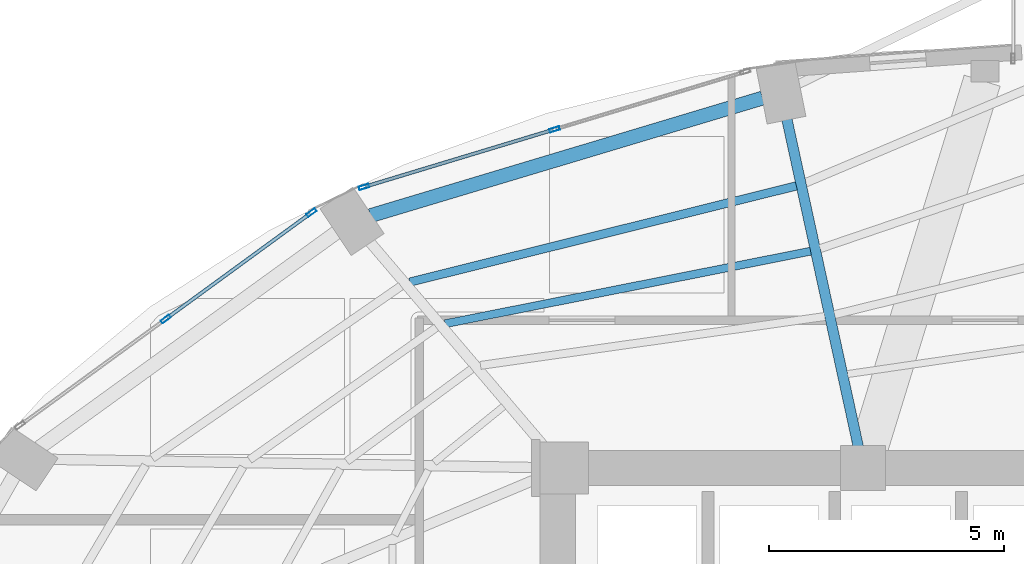
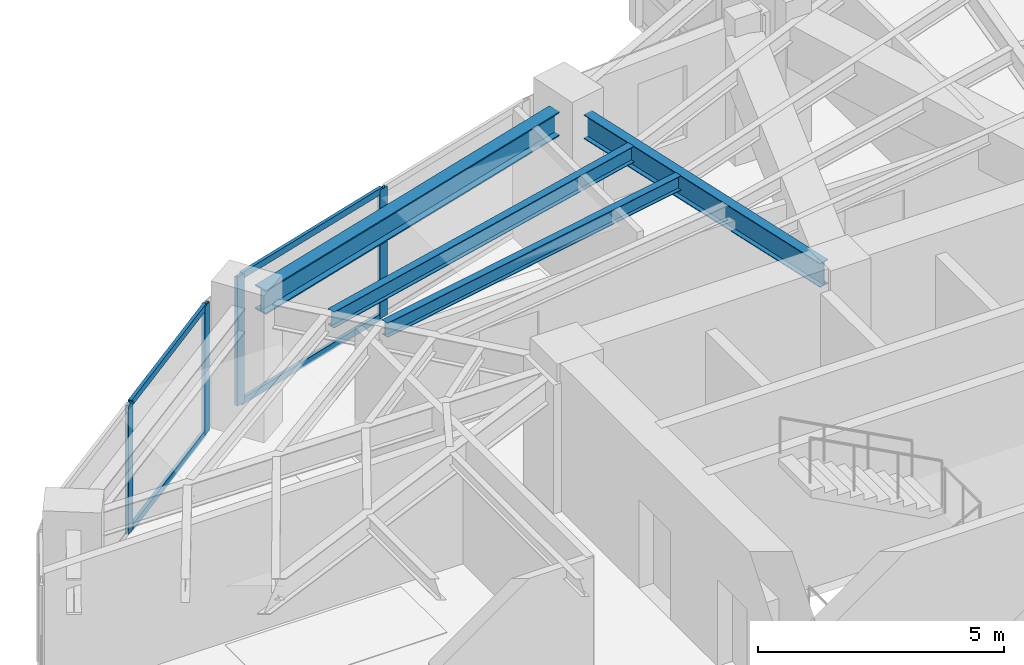
# One storey, part 14 of 24: 8 members, 4 beams, 2 elements without a shape of their own.
"""IFC4 building model written with IfcOpenShell, lengths in metres."""

from ifc_helpers import new_model, si_unit, direction, frame, origin, origin_2d, place, context, subcontext, project, spatial, hollow_rectangle, i_section, extrude, material, layer, layer_set, material_profile, profile_set, type_object, element, aggregate, save


model = new_model("IFC4")

# Units and contexts
model_context = context("Model", 3, precision=1e-05, world=origin(), true_north=direction((0.0, 1.0)))
body_context = subcontext(model_context, "Body", "Model", "MODEL_VIEW")
ifc_project = project(units=[si_unit("LENGTHUNIT", "METRE"), si_unit("AREAUNIT", "SQUARE_METRE"), si_unit("VOLUMEUNIT", "CUBIC_METRE"), si_unit("PLANEANGLEUNIT", "RADIAN"), si_unit("MASSUNIT", "GRAM", prefix="KILO")], contexts=[model_context])

# Site, building, storey
site_placement = place(None, origin())
site = spatial("IfcSite", under=ifc_project, at=site_placement, CompositionType="ELEMENT")
building_placement = place(site_placement, origin())
building = spatial("IfcBuilding", under=site, at=building_placement, Name="Lazwardi Medical Tower", CompositionType="ELEMENT")
storey_placement = place(building_placement, frame((0.0, 0.0, 129.16796875)))
storey = spatial("IfcBuildingStorey", under=building, at=storey_placement, Name="L33", CompositionType="ELEMENT", Elevation=129.16796875)

# Beams
ifc_material_1 = material(Name="Steel S355", Category="steel")
ifc_material_profile_1 = material_profile(ifc_material_1, i_section(OverallWidth=0.300048828125, OverallDepth=0.60009765625, WebThickness=0.015380859375, FlangeThickness=0.030029296875, at=origin_2d()), Name="HEB 600")
ifc_profile_set_1 = profile_set([ifc_material_profile_1], Name="Steel S355")
beam_type_1 = type_object("IfcBeamType", Name="BM-RB-Z2", PredefinedType="BEAM", material=ifc_profile_set_1)
beam_1_placement = place(storey_placement, frame((30.661865234375, 43.4794921875, 2.89794921875), z_axis=(-0.957879438442, -0.287170648587, 0.0), x_axis=(0.287170648587, -0.957879438442, 0.0)))
element("IfcBeam", 1, at=beam_1_placement, inside=storey, type_object=beam_type_1, Name="Ring beam RB-03 B09 L33", PredefinedType="BEAM", context=body_context, shape_type="SweptSolid", body=[
    extrude(i_section(OverallWidth=0.300048828125, OverallDepth=0.60009765625, WebThickness=0.015380859375, FlangeThickness=0.030029296875, at=origin_2d()), origin(), (0.0, 0.0, 1.0), 8.719970703125),
])
ifc_material_profile_2 = material_profile(ifc_material_1, i_section(OverallWidth=0.219970703125, OverallDepth=0.60009765625, WebThickness=0.011962890625, FlangeThickness=0.01904296875, at=origin_2d()), Name="IPE 600")
ifc_profile_set_2 = profile_set([ifc_material_profile_2], Name="Steel S355")
beam_type_2 = type_object("IfcBeamType", Name="BM-RG-W1", PredefinedType="BEAM", material=ifc_profile_set_2)
beam_2_placement = place(storey_placement, frame((31.17822265625, 43.03076171875, 2.89794921875), z_axis=(0.213228150441, -0.977002433907, 0.0), x_axis=(0.977002433907, 0.213228150441, 0.0)))
element("IfcBeam", 2, at=beam_2_placement, inside=storey, type_object=beam_type_2, Name="Radial girder RG-02 R09 L33", PredefinedType="BEAM", context=body_context, shape_type="SweptSolid", body=[
    extrude(i_section(OverallWidth=0.219970703125, OverallDepth=0.60009765625, WebThickness=0.011962890625, FlangeThickness=0.01904296875, at=origin_2d()), origin(), (0.0, 0.0, 1.0), 7.145751953125),
])
ifc_material_profile_3 = material_profile(ifc_material_1, i_section(OverallWidth=0.179931640625, OverallDepth=0.39990234375, WebThickness=0.008544921875, FlangeThickness=0.013427734375, at=origin_2d()), Name="IPE 400")
ifc_profile_set_3 = profile_set([ifc_material_profile_3], Name="Steel S355")
beam_type_3 = type_object("IfcBeamType", Name="BM-SJ-01", PredefinedType="JOIST", material=ifc_profile_set_3)
beam_3_placement = place(storey_placement, frame((31.381103515625, 41.609130859375, 2.998046875), z_axis=(-0.970400881943, -0.241499748081, 0.0), x_axis=(0.241499748081, -0.970400881943, 0.0)))
element("IfcBeam", 3, at=beam_3_placement, inside=storey, type_object=beam_type_3, Name="Secondary joist SJ-01 R1 B09 L33", PredefinedType="JOIST", context=body_context, shape_type="SweptSolid", body=[
    extrude(i_section(OverallWidth=0.179931640625, OverallDepth=0.39990234375, WebThickness=0.008544921875, FlangeThickness=0.013427734375, at=origin_2d()), origin(), (0.0, 0.0, 1.0), 8.48583984375),
])
ifc_material_profile_4 = material_profile(ifc_material_1, i_section(OverallWidth=0.169921875, OverallDepth=0.360107421875, WebThickness=0.008056640625, FlangeThickness=0.0126953125, at=origin_2d()), Name="IPE 360")
ifc_profile_set_4 = profile_set([ifc_material_profile_4], Name="Steel S355")
beam_type_4 = type_object("IfcBeamType", Name="BM-SJ-02", PredefinedType="JOIST", material=ifc_profile_set_4)
beam_4_placement = place(storey_placement, frame((31.684814453125, 40.2177734375, 3.01806640625), z_axis=(-0.980878853282, -0.194619308352, 0.0), x_axis=(0.194619308352, -0.980878853282, 0.0)))
element("IfcBeam", 4, at=beam_4_placement, inside=storey, type_object=beam_type_4, Name="Secondary joist SJ-02 R2 B09 L33", PredefinedType="JOIST", context=body_context, shape_type="SweptSolid", body=[
    extrude(i_section(OverallWidth=0.169921875, OverallDepth=0.360107421875, WebThickness=0.008056640625, FlangeThickness=0.0126953125, at=origin_2d()), origin(), (0.0, 0.0, 1.0), 7.93701171875),
])

# Curtain wall, members
ifc_material_2 = material(Name="Anodised bronze aluminium and solar control glazing", Category="aluminium")
ifc_layer = layer(ifc_material_2, 0.195068359375)
ifc_layer_set = layer_set([ifc_layer], Name="Anodised bronze aluminium and solar control glazing")
curtain_wall_type = type_object("IfcCurtainWallType", Name="CW-SYS-03", PredefinedType="NOTDEFINED", material=ifc_layer_set)
curtain_wall_1_placement = place(storey_placement, origin())
curtain_wall_1 = element("IfcCurtainWall", 5, at=curtain_wall_1_placement, inside=storey, type_object=curtain_wall_type, Name="L33 Unitised bronze curtain wall CW-03", PredefinedType="NOTDEFINED")
ifc_material_3 = material(Name="Anodised bronze aluminium", Category="aluminium")
ifc_material_profile_5 = material_profile(ifc_material_3, hollow_rectangle(XDim=0.074951171875, YDim=0.219970703125, WallThickness=0.00390625, at=origin_2d()), Name="ALU-MULLION 220x75x4")
ifc_profile_set_5 = profile_set([ifc_material_profile_5], Name="Anodised bronze aluminium")
member_type_1 = type_object("IfcMemberType", Name="CW-MUL-01", PredefinedType="MULLION", material=ifc_profile_set_5)
member_1_placement = place(storey_placement, frame((26.230712890625, 42.81298828125, 0.0), z_axis=(0.0, 0.0, 1.0), x_axis=(0.28937381157, -0.957216170558, 0.0)))
member_1 = element("IfcMember", 6, at=member_1_placement, type_object=member_type_1, Name="CW-03 mullion 2", PredefinedType="MULLION", context=body_context, shape_type="SweptSolid", body=[
    extrude(hollow_rectangle(XDim=0.074951171875, YDim=0.219970703125, WallThickness=0.00390625, at=origin_2d()), origin(), (0.0, 0.0, 1.0), 3.197998046875),
])
member_2_placement = place(storey_placement, frame((22.171630859375, 41.5859375, 0.0), z_axis=(0.0, 0.0, 1.0), x_axis=(0.28937381157, -0.957216170558, 0.0)))
member_2 = element("IfcMember", 7, at=member_2_placement, type_object=member_type_1, Name="CW-03 mullion 3", PredefinedType="MULLION", context=body_context, shape_type="SweptSolid", body=[
    extrude(hollow_rectangle(XDim=0.074951171875, YDim=0.219970703125, WallThickness=0.00390625, at=origin_2d()), origin(), (0.0, 0.0, 1.0), 3.197998046875),
])

curtain_wall_2_placement = place(storey_placement, origin())
curtain_wall_2 = element("IfcCurtainWall", 8, at=curtain_wall_2_placement, inside=storey, type_object=curtain_wall_type, Name="L33 Unitised bronze curtain wall CW-03", PredefinedType="NOTDEFINED")
member_3_placement = place(storey_placement, frame((21.052734375, 41.03955078125, 0.0), z_axis=(0.0, 0.0, 1.0), x_axis=(0.589530882802, -0.807745837639, 0.0)))
member_3 = element("IfcMember", 9, at=member_3_placement, type_object=member_type_1, Name="CW-03 mullion 1", PredefinedType="MULLION", context=body_context, shape_type="SweptSolid", body=[
    extrude(hollow_rectangle(XDim=0.074951171875, YDim=0.219970703125, WallThickness=0.00390625, at=origin_2d()), origin(), (0.0, 0.0, 1.0), 3.197998046875),
])
member_4_placement = place(storey_placement, frame((17.948974609375, 38.774169921875, 0.0), z_axis=(0.0, 0.0, 1.0), x_axis=(0.589530882802, -0.807745837639, 0.0)))
member_4 = element("IfcMember", 10, at=member_4_placement, type_object=member_type_1, Name="CW-03 mullion 2", PredefinedType="MULLION", context=body_context, shape_type="SweptSolid", body=[
    extrude(hollow_rectangle(XDim=0.074951171875, YDim=0.219970703125, WallThickness=0.00390625, at=origin_2d()), origin(), (0.0, 0.0, 1.0), 3.197998046875),
])

# Member
ifc_material_profile_6 = material_profile(ifc_material_3, hollow_rectangle(XDim=0.074951171875, YDim=0.159912109375, WallThickness=0.00390625, at=origin_2d()), Name="ALU-TRANSOM 160x75x4")
ifc_profile_set_6 = profile_set([ifc_material_profile_6], Name="Anodised bronze aluminium")
member_type_2 = type_object("IfcMemberType", Name="CW-TRN-01", PredefinedType="USERDEFINED", material=ifc_profile_set_6)
member_5_placement = place(storey_placement, frame((26.19482421875, 42.80224609375, 0.03759765625), z_axis=(-0.957220865985, -0.289358279168, 0.0), x_axis=(0.289358279168, -0.957220865985, 0.0)))
member_5 = element("IfcMember", 11, at=member_5_placement, type_object=member_type_2, Name="CW-03 transom 2.1", ObjectType="TRANSOM", PredefinedType="USERDEFINED", context=body_context, shape_type="SweptSolid", body=[
    extrude(hollow_rectangle(XDim=0.074951171875, YDim=0.159912109375, WallThickness=0.00390625, at=origin_2d()), origin(), (0.0, 0.0, 1.0), 4.16552734375),
])

member_6_placement = place(storey_placement, frame((26.19482421875, 42.80224609375, 3.16064453125), z_axis=(-0.957220865985, -0.289358279168, 0.0), x_axis=(0.289358279168, -0.957220865985, 0.0)))
member_6 = element("IfcMember", 12, at=member_6_placement, type_object=member_type_2, Name="CW-03 transom 2.2", ObjectType="TRANSOM", PredefinedType="USERDEFINED", context=body_context, shape_type="SweptSolid", body=[
    extrude(hollow_rectangle(XDim=0.074951171875, YDim=0.159912109375, WallThickness=0.00390625, at=origin_2d()), origin(), (0.0, 0.0, 1.0), 4.16552734375),
])

aggregate(curtain_wall_1, [member_1, member_2, member_5, member_6])

member_7_placement = place(storey_placement, frame((21.0224609375, 41.017578125, 0.03759765625), z_axis=(-0.807731734271, -0.589550206049, 0.0), x_axis=(0.589550206049, -0.807731734271, 0.0)))
member_7 = element("IfcMember", 13, at=member_7_placement, type_object=member_type_2, Name="CW-03 transom 1.1", ObjectType="TRANSOM", PredefinedType="USERDEFINED", context=body_context, shape_type="SweptSolid", body=[
    extrude(hollow_rectangle(XDim=0.074951171875, YDim=0.159912109375, WallThickness=0.00390625, at=origin_2d()), origin(), (0.0, 0.0, 1.0), 3.767578125),
])

member_8_placement = place(storey_placement, frame((21.0224609375, 41.017578125, 3.16064453125), z_axis=(-0.807731734271, -0.589550206049, 0.0), x_axis=(0.589550206049, -0.807731734271, 0.0)))
member_8 = element("IfcMember", 14, at=member_8_placement, type_object=member_type_2, Name="CW-03 transom 1.2", ObjectType="TRANSOM", PredefinedType="USERDEFINED", context=body_context, shape_type="SweptSolid", body=[
    extrude(hollow_rectangle(XDim=0.074951171875, YDim=0.159912109375, WallThickness=0.00390625, at=origin_2d()), origin(), (0.0, 0.0, 1.0), 3.767578125),
])

aggregate(curtain_wall_2, [member_3, member_4, member_7, member_8])

save(model, "model.ifc")
